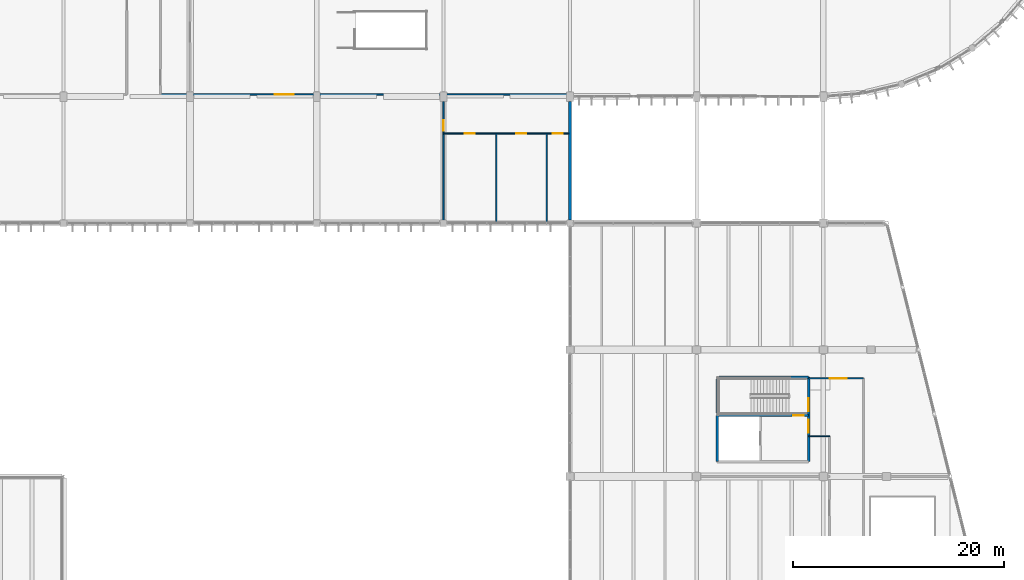
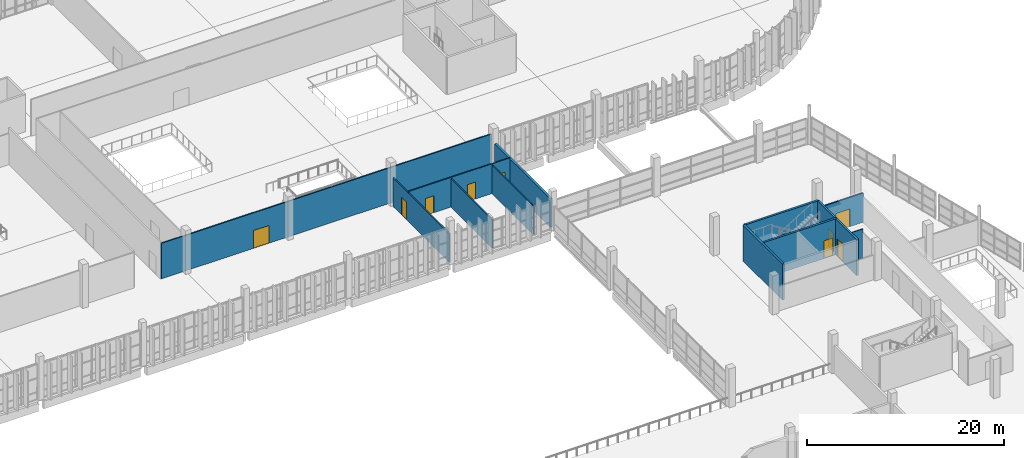
# One storey, part 86 of 112: 12 walls, 9 doors, 9 openings.
"""IFC4 building model written with IfcOpenShell, lengths in metres."""

import ifcopenshell
import ifcopenshell.guid

model = None  # the IFC model being written
_history = None  # IfcOwnerHistory: only IFC2X3 demands one
_inside = {}  # id of a spatial element -> (the spatial element, [elements in it])
_under = {}  # id of a project, library or spatial element -> (it, [spatial elements below it])
_declared = {}  # id of a project -> (the project, [libraries it declares])
_typed = {}  # id of a type object -> (the type object, [elements of that type])
_made_of = {}  # id of a material, layer set ... -> (it, [elements and type objects made of it])


def new_model(schema):
    """Start an empty IFC model of exactly this schema.

    Asked for "IFC4X3", IfcOpenShell would pick the latest addendum, in which some entities
    have other attributes; the version numbers below select the first issue.
    IFC2X3 requires an IfcOwnerHistory on every rooted entity: one is made here for all.
    """
    global model, _history
    if schema == "IFC4X3":
        model = ifcopenshell.file(schema_version=(4, 3, 0, 0))
    else:
        model = ifcopenshell.file(schema=schema)
    _inside.clear()
    _under.clear()
    _declared.clear()
    _typed.clear()
    _made_of.clear()
    _history = None
    if model.schema == "IFC2X3":
        org = make("IfcOrganization", Name="unknown")
        user = make(
            "IfcPersonAndOrganization",
            ThePerson=make("IfcPerson", FamilyName="unknown"),
            TheOrganization=org,
        )
        app = make(
            "IfcApplication",
            ApplicationDeveloper=org,
            Version="unknown",
            ApplicationFullName="unknown",
            ApplicationIdentifier="unknown",
        )
        _history = make(
            "IfcOwnerHistory",
            OwningUser=user,
            OwningApplication=app,
            ChangeAction="ADDED",
            CreationDate=0,
        )
    return model


def make(cls, **values):
    """One entity of the class cls with the attributes given. An attribute that is None is left unset."""
    return model.create_entity(
        cls, **{name: value for name, value in values.items() if value is not None}
    )


def rooted(cls, **values):
    """An entity with a GlobalId (a new one), such as an element, a storey or a relation."""
    return make(cls, GlobalId=ifcopenshell.guid.new(), OwnerHistory=_history, **values)


def si_unit(unit_type, name, prefix=None):
    """IfcSIUnit, for example si_unit("LENGTHUNIT", "METRE", prefix="MILLI")."""
    return make("IfcSIUnit", UnitType=unit_type, Prefix=prefix, Name=name)


def assignment(units):
    """IfcUnitAssignment: the units of a project."""
    return None if units is None else make("IfcUnitAssignment", Units=units)


def point(xyz):
    """IfcCartesianPoint."""
    return None if xyz is None else make("IfcCartesianPoint", Coordinates=xyz)


def direction(xyz):
    """IfcDirection."""
    return None if xyz is None else make("IfcDirection", DirectionRatios=xyz)


def frame(location, z_axis=None, x_axis=None):
    """IfcAxis2Placement3D, a coordinate frame: its origin and axes. An axis left out is left unset."""
    return make(
        "IfcAxis2Placement3D",
        Location=point(location),
        Axis=direction(z_axis),
        RefDirection=direction(x_axis),
    )


def frame_2d(location, x_axis=None):
    """IfcAxis2Placement2D, a coordinate frame in the plane: its origin and x axis."""
    return make(
        "IfcAxis2Placement2D", Location=point(location), RefDirection=direction(x_axis)
    )


def origin():
    """The frame at (0, 0, 0) with its axes left unset."""
    return frame((0.0, 0.0, 0.0))


def place(relative_to, where):
    """IfcLocalPlacement: puts the frame where relative to a parent placement (None: the world)."""
    return make(
        "IfcLocalPlacement", PlacementRelTo=relative_to, RelativePlacement=where
    )


def context(
    kind, dimensions, precision=None, world=None, true_north=None, identifier=None
):
    """IfcGeometricRepresentationContext, for example the 3D "Model" context."""
    return make(
        "IfcGeometricRepresentationContext",
        ContextIdentifier=identifier,
        ContextType=kind,
        CoordinateSpaceDimension=dimensions,
        Precision=precision,
        WorldCoordinateSystem=world,
        TrueNorth=true_north,
    )


def subcontext(parent, identifier, kind, view, scale=None):
    """IfcGeometricRepresentationSubContext, for example "Body" below "Model"."""
    return make(
        "IfcGeometricRepresentationSubContext",
        ContextIdentifier=identifier,
        ContextType=kind,
        ParentContext=parent,
        TargetScale=scale,
        TargetView=view,
    )


def project(units=None, contexts=None):
    """IfcProject with its units and contexts."""
    return rooted(
        "IfcProject",
        Name="project",
        RepresentationContexts=contexts,
        UnitsInContext=assignment(units),
    )


def spatial(cls, under=None, at=None, **own):
    """A site, building, storey or space (cls), placed at a placement, below another one or the project."""
    s = rooted(cls, ObjectPlacement=at, **own)
    if under is not None:
        _under.setdefault(under.id(), (under, []))[1].append(s)
    return s


def profile(cls, at=None, kind="AREA", **sizes):
    """A parametric profile (cls). Its sizes go by their IFC names, for example OverallWidth=200.0."""
    return make(cls, ProfileType=kind, Position=at, **sizes)


def rectangle(**sizes):
    """IfcRectangleProfileDef."""
    return profile("IfcRectangleProfileDef", **sizes)


def extrude(swept, where, along, depth):
    """IfcExtrudedAreaSolid: the profile swept, set in the frame where, extruded along a direction by depth."""
    return make(
        "IfcExtrudedAreaSolid",
        SweptArea=swept,
        Position=where,
        ExtrudedDirection=direction(along),
        Depth=depth,
    )


def shape(context_of_items, identifier, shape_type, items):
    """IfcShapeRepresentation: the items that make up one representation, for example the "Body"."""
    return make(
        "IfcShapeRepresentation",
        ContextOfItems=context_of_items,
        RepresentationIdentifier=identifier,
        RepresentationType=shape_type,
        Items=items,
    )


def material(Name=None, Category=None):
    """IfcMaterial."""
    return make("IfcMaterial", Name=Name, Category=Category)


def layer(
    of_material, thickness, ventilated=None, Name=None, Category=None, Priority=None
):
    """IfcMaterialLayer: one layer of a wall or slab, of a material (None: an air gap)."""
    return make(
        "IfcMaterialLayer",
        Material=of_material,
        LayerThickness=thickness,
        IsVentilated=ventilated,
        Name=Name,
        Category=Category,
        Priority=Priority,
    )


def layer_set(layers, Name=None):
    """IfcMaterialLayerSet."""
    return make("IfcMaterialLayerSet", MaterialLayers=layers, LayerSetName=Name)


def made_of(thing, what):
    """Note that an element or type object is made of a material, layer set ...; save() writes the relation."""
    if what is not None:
        _made_of.setdefault(what.id(), (what, []))[1].append(thing)
    return thing


def type_object(cls, material=None, **own):
    """A type object (cls), such as IfcWallType, which elements share."""
    return made_of(rooted(cls, **own), material)


def element(
    cls,
    number,
    at=None,
    inside=None,
    cuts=None,
    type_object=None,
    material=None,
    context=None,
    identifier="Body",
    shape_type=None,
    held_by="IfcProductDefinitionShape",
    body=None,
    shapes=None,
    **own,
):
    """One element of the class cls, such as IfcWall. Its Tag is "e" and its number.

    at: its placement. inside: the storey or other place that contains it. cuts: it is an
    opening in that element (IfcRelVoidsElement). A single representation is given by context,
    identifier, shape_type and body (its items); several are given by shapes. held_by: the class
    of the entity that holds the representations. save() writes the other relations.
    """
    e = rooted(cls, Tag="e%d" % number, ObjectPlacement=at, **own)
    if body is not None:
        shapes = [shape(context, identifier, shape_type, body)]
    if shapes is not None:
        e.Representation = make(held_by, Representations=shapes)
    if inside is not None:
        _inside.setdefault(inside.id(), (inside, []))[1].append(e)
    if cuts is not None:
        rooted(
            "IfcRelVoidsElement", RelatingBuildingElement=cuts, RelatedOpeningElement=e
        )
    if type_object is not None:
        _typed.setdefault(type_object.id(), (type_object, []))[1].append(e)
    return made_of(e, material)


def fill(opening, filler):
    """IfcRelFillsElement: the door or window that sits in an opening."""
    return rooted(
        "IfcRelFillsElement",
        RelatingOpeningElement=opening,
        RelatedBuildingElement=filler,
    )


def aggregate(whole, parts):
    """IfcRelAggregates: a whole, such as a stair, and the parts it consists of."""
    return rooted("IfcRelAggregates", RelatingObject=whole, RelatedObjects=parts)


def save(model, path):
    """Write the relations noted so far, then the file.

    IfcRelAggregates (storeys below a building ...), IfcRelContainedInSpatialStructure (elements
    in a storey), IfcRelDefinesByType, IfcRelAssociatesMaterial and IfcRelDeclares: one each for
    every whole, place, type object, material and project.
    """
    for whole, parts in _under.values():
        aggregate(whole, parts)
    for where, things in _inside.values():
        rooted(
            "IfcRelContainedInSpatialStructure",
            RelatedElements=things,
            RelatingStructure=where,
        )
    for kind, things in _typed.values():
        rooted("IfcRelDefinesByType", RelatedObjects=things, RelatingType=kind)
    for what, things in _made_of.values():
        rooted("IfcRelAssociatesMaterial", RelatedObjects=things, RelatingMaterial=what)
    for by, libraries in _declared.values():
        rooted("IfcRelDeclares", RelatingContext=by, RelatedDefinitions=libraries)
    model.write(path)


model = new_model("IFC4")

# Units and contexts
model_context = context("Model", 3, precision=1e-05, world=origin(), true_north=direction((0.0, 1.0)))
body_context = subcontext(model_context, "Body", "Model", "MODEL_VIEW")
ifc_project = project(units=[si_unit("LENGTHUNIT", "METRE"), si_unit("AREAUNIT", "SQUARE_METRE"), si_unit("VOLUMEUNIT", "CUBIC_METRE"), si_unit("PLANEANGLEUNIT", "RADIAN"), si_unit("MASSUNIT", "GRAM", prefix="KILO")], contexts=[model_context])

# Site, building, storey
site_placement = place(None, origin())
site = spatial("IfcSite", under=ifc_project, at=site_placement, CompositionType="ELEMENT")
building_placement = place(site_placement, origin())
building = spatial("IfcBuilding", under=site, at=building_placement, Name="Kamomehara Wholesale Market", CompositionType="ELEMENT")
storey_placement = place(building_placement, frame((0.0, 0.0, 6.60009765625)))
storey = spatial("IfcBuildingStorey", under=building, at=storey_placement, Name="L01", CompositionType="ELEMENT", Elevation=6.60009765625)

# Walls
ifc_material_1 = material(Name="Precast concrete Fc45 (C40/50)", Category="concrete")
ifc_layer_1 = layer(ifc_material_1, 0.260009765625)
ifc_layer_set_1 = layer_set([ifc_layer_1], Name="Precast concrete Fc45 (C40/50)")
wall_type_1 = type_object("IfcWallType", Name="EW-PC-260", PredefinedType="SOLIDWALL", material=ifc_layer_set_1)
wall_1_placement = place(storey_placement, frame((156.0, 107.550048828125, 0.0), z_axis=(0.0, 0.0, 1.0), x_axis=(0.0, -1.0, 0.0)))
element("IfcWall", 1, at=wall_1_placement, inside=storey, type_object=wall_type_1, Name="Exterior wall EW-PC-260 74", PredefinedType="SOLIDWALL", context=body_context, shape_type="SweptSolid", body=[
    extrude(rectangle(XDim=11.239990234375, YDim=0.260009765625, at=frame_2d((5.6201171875, 0.0))), origin(), (0.0, 0.0, 1.0), 3.517822265625),
])
ifc_material_2 = material(Name="Gypsum board partition")
ifc_layer_2 = layer(ifc_material_2, 0.10009765625)
ifc_layer_set_2 = layer_set([ifc_layer_2], Name="Gypsum board partition")
wall_type_2 = type_object("IfcWallType", Name="IW-PRT-100", PredefinedType="PARTITIONING", material=ifc_layer_set_2)
wall_2_placement = place(storey_placement, frame((178.60009765625, 75.800048828125, 0.0), z_axis=(0.0, 0.0, 1.0), x_axis=(1.0, 0.0, 0.0)))
element("IfcWall", 2, at=wall_2_placement, inside=storey, type_object=wall_type_2, Name="Interior wall IW-PRT-100 338", PredefinedType="PARTITIONING", context=body_context, shape_type="SweptSolid", body=[
    extrude(rectangle(XDim=2.0, YDim=0.10009765625, at=frame_2d((1.0, 0.0))), origin(), (0.0, 0.0, 1.0), 3.6328125),
])

# Wall, openings, doors
ifc_material_3 = material(Name="Gypsum board partition")
ifc_layer_3 = layer(ifc_material_3, 0.125)
ifc_layer_set_3 = layer_set([ifc_layer_3], Name="Gypsum board partition")
wall_type_3 = type_object("IfcWallType", Name="IW-PRT-125", PredefinedType="PARTITIONING", material=ifc_layer_set_3)
wall_3_placement = place(storey_placement, frame((144.0, 104.5, 0.0), z_axis=(0.0, 0.0, 1.0), x_axis=(1.0, 0.0, 0.0)))
wall_3 = element("IfcWall", 3, at=wall_3_placement, inside=storey, type_object=wall_type_3, Name="Interior wall IW-PRT-125 297", PredefinedType="PARTITIONING", context=body_context, shape_type="SweptSolid", body=[
    extrude(rectangle(XDim=11.8701171875, YDim=0.125, at=frame_2d((5.93505859375, 0.0))), origin(), (0.0, 0.0, 1.0), 3.673828125),
])
opening_1_placement = place(wall_3_placement, frame((2.0, 0.0, 0.0)))
opening_1 = element("IfcOpeningElement", 4, at=opening_1_placement, cuts=wall_3, Name="Opening ID-L01-185", PredefinedType="OPENING", context=body_context, shape_type="SweptSolid", body=[
    extrude(rectangle(XDim=0.949951171875, YDim=2.10009765625, at=frame_2d((0.47509765625, 1.050048828125))), frame((0.0, 0.077392578125, 0.0), z_axis=(0.0, -1.0, 0.0), x_axis=(1.0, 0.0, 0.0)), (0.0, 0.0, 1.0), 0.15478515625),
])
opening_2_placement = place(wall_3_placement, frame((6.89990234375, 0.0, 0.0)))
opening_2 = element("IfcOpeningElement", 5, at=opening_2_placement, cuts=wall_3, Name="Opening ID-L01-186", PredefinedType="OPENING", context=body_context, shape_type="SweptSolid", body=[
    extrude(rectangle(XDim=0.949951171875, YDim=2.10009765625, at=frame_2d((0.47509765625, 1.050048828125))), frame((0.0, 0.077392578125, 0.0), z_axis=(0.0, -1.0, 0.0), x_axis=(1.0, 0.0, 0.0)), (0.0, 0.0, 1.0), 0.15478515625),
])
opening_3_placement = place(wall_3_placement, frame((10.35009765625, 0.0, 0.0)))
opening_3 = element("IfcOpeningElement", 6, at=opening_3_placement, cuts=wall_3, Name="Opening ID-L01-187", PredefinedType="OPENING", context=body_context, shape_type="SweptSolid", body=[
    extrude(rectangle(XDim=0.949951171875, YDim=2.10009765625, at=frame_2d((0.47509765625, 1.050048828125))), frame((0.0, 0.077392578125, 0.0), z_axis=(0.0, -1.0, 0.0), x_axis=(1.0, 0.0, 0.0)), (0.0, 0.0, 1.0), 0.15478515625),
])
ifc_material_4 = material(Name="Anodised aluminium 6063-T5", Category="aluminium")
door_type_1 = type_object("IfcDoorType", Name="IDR-WC-950x2100", OperationType="NOTDEFINED", PredefinedType="DOOR", material=ifc_material_4)
door_1_placement = place(opening_1_placement, origin())
door_1 = element("IfcDoor", 7, at=door_1_placement, inside=storey, type_object=door_type_1, Name="Interior door ID-L01-185", OperationType="SINGLE_SWING_LEFT", OverallHeight=2.10009765625, OverallWidth=0.949951171875, PredefinedType="DOOR", context=body_context, shape_type="SweptSolid", body=[
    extrude(rectangle(XDim=0.949951171875, YDim=2.10009765625, at=frame_2d((0.47509765625, 1.050048828125))), frame((0.0, 0.02490234375, 0.0), z_axis=(0.0, -1.0, 0.0), x_axis=(1.0, 0.0, 0.0)), (0.0, 0.0, 1.0), 0.050048828125),
])
fill(opening_1, door_1)
door_2_placement = place(opening_2_placement, origin())
door_2 = element("IfcDoor", 8, at=door_2_placement, inside=storey, type_object=door_type_1, Name="Interior door ID-L01-186", OperationType="SINGLE_SWING_RIGHT", OverallHeight=2.10009765625, OverallWidth=0.949951171875, PredefinedType="DOOR", context=body_context, shape_type="SweptSolid", body=[
    extrude(rectangle(XDim=0.949951171875, YDim=2.10009765625, at=frame_2d((0.47509765625, 1.050048828125))), frame((0.0, 0.02490234375, 0.0), z_axis=(0.0, -1.0, 0.0), x_axis=(1.0, 0.0, 0.0)), (0.0, 0.0, 1.0), 0.050048828125),
])
fill(opening_2, door_2)
door_3_placement = place(opening_3_placement, origin())
door_3 = element("IfcDoor", 9, at=door_3_placement, inside=storey, type_object=door_type_1, Name="Interior door ID-L01-187", OperationType="SINGLE_SWING_LEFT", OverallHeight=2.10009765625, OverallWidth=0.949951171875, PredefinedType="DOOR", context=body_context, shape_type="SweptSolid", body=[
    extrude(rectangle(XDim=0.949951171875, YDim=2.10009765625, at=frame_2d((0.47509765625, 1.050048828125))), frame((0.0, 0.02490234375, 0.0), z_axis=(0.0, -1.0, 0.0), x_axis=(1.0, 0.0, 0.0)), (0.0, 0.0, 1.0), 0.050048828125),
])
fill(opening_3, door_3)

# Walls
for number, where, z_axis, x_axis, name in (
    (10, (149.0, 96.0400390625, 0.0), (0.0, 0.0, 1.0), (0.0, 1.0, 0.0), "Interior wall IW-PRT-125 298"),
    (11, (153.800048828125, 96.0400390625, 0.0), (0.0, 0.0, 1.0), (0.0, 1.0, 0.0), "Interior wall IW-PRT-125 299"),
):
    element("IfcWall", number, at=place(storey_placement, frame(where, z_axis=z_axis, x_axis=x_axis)), inside=storey, type_object=wall_type_3, Name=name, PredefinedType="PARTITIONING", context=body_context, shape_type="SweptSolid", body=[
        extrude(rectangle(XDim=8.4599609375, YDim=0.125, at=frame_2d((4.22998046875, 0.0))), origin(), (0.0, 0.0, 1.0), 3.52392578125),
    ])

# Wall, opening, door
ifc_material_5 = material(Name="Gypsum board partition")
ifc_layer_4 = layer(ifc_material_5, 0.14990234375)
ifc_layer_set_4 = layer_set([ifc_layer_4], Name="Gypsum board partition")
wall_type_4 = type_object("IfcWallType", Name="IW-PRT-150", PredefinedType="PARTITIONING", material=ifc_layer_set_4)
wall_4_placement = place(storey_placement, frame((117.199951171875, 108.199951171875, 0.0), z_axis=(0.0, 0.0, 1.0), x_axis=(1.0, 0.0, 0.0)))
wall_4 = element("IfcWall", 12, at=wall_4_placement, inside=storey, type_object=wall_type_4, Name="Interior wall IW-PRT-150 295", PredefinedType="PARTITIONING", context=body_context, shape_type="SweptSolid", body=[
    extrude(rectangle(XDim=38.670166015625, YDim=0.14990234375, at=frame_2d((19.3349609375, 0.0))), origin(), (0.0, 0.0, 1.0), 4.385009765625),
])
opening_4_placement = place(wall_4_placement, frame((10.800048828125, 0.0, 0.0)))
opening_4 = element("IfcOpeningElement", 13, at=opening_4_placement, cuts=wall_4, Name="Opening ID-L01-183", PredefinedType="OPENING", context=body_context, shape_type="SweptSolid", body=[
    extrude(rectangle(XDim=1.800048828125, YDim=2.199951171875, at=frame_2d((0.89990234375, 1.10009765625))), frame((0.0, 0.08984375, 0.0), z_axis=(0.0, -1.0, 0.0), x_axis=(1.0, 0.0, 0.0)), (0.0, 0.0, 1.0), 0.1796875),
])
ifc_material_6 = material(Name="Steel SN400B", Category="steel")
door_type_2 = type_object("IfcDoorType", Name="IDR-FD-1800x2200", OperationType="NOTDEFINED", PredefinedType="DOOR", material=ifc_material_6)
door_4_placement = place(opening_4_placement, origin())
door_4 = element("IfcDoor", 14, at=door_4_placement, inside=storey, type_object=door_type_2, Name="Interior door ID-L01-183", OperationType="SINGLE_SWING_LEFT", OverallHeight=2.199951171875, OverallWidth=1.800048828125, PredefinedType="DOOR", context=body_context, shape_type="SweptSolid", body=[
    extrude(rectangle(XDim=1.800048828125, YDim=2.199951171875, at=frame_2d((0.89990234375, 1.10009765625))), frame((0.0, 0.02490234375, 0.0), z_axis=(0.0, -1.0, 0.0), x_axis=(1.0, 0.0, 0.0)), (0.0, 0.0, 1.0), 0.050048828125),
])
fill(opening_4, door_4)

wall_5_placement = place(storey_placement, frame((144.0, 96.0400390625, 0.0), z_axis=(0.0, 0.0, 1.0), x_axis=(0.0, 1.0, 0.0)))
wall_5 = element("IfcWall", 15, at=wall_5_placement, inside=storey, type_object=wall_type_4, Name="Interior wall IW-PRT-150 296", PredefinedType="PARTITIONING", context=body_context, shape_type="SweptSolid", body=[
    extrude(rectangle(XDim=11.47998046875, YDim=0.14990234375, at=frame_2d((5.739990234375, 0.0))), origin(), (0.0, 0.0, 1.0), 3.52392578125),
])
opening_5_placement = place(wall_5_placement, frame((8.699951171875, 0.0, 0.0)))
opening_5 = element("IfcOpeningElement", 16, at=opening_5_placement, cuts=wall_5, Name="Opening ID-L01-184", PredefinedType="OPENING", context=body_context, shape_type="SweptSolid", body=[
    extrude(rectangle(XDim=1.0, YDim=2.199951171875, at=frame_2d((0.5, 1.10009765625))), frame((0.0, 0.08984375, 0.0), z_axis=(0.0, -1.0, 0.0), x_axis=(1.0, 0.0, 0.0)), (0.0, 0.0, 1.0), 0.1796875),
])
ifc_material_7 = material(Name="Anodised aluminium 6063-T5", Category="aluminium")
door_type_3 = type_object("IfcDoorType", Name="IDR-RM-1000x2200", OperationType="NOTDEFINED", PredefinedType="DOOR", material=ifc_material_7)
door_5_placement = place(opening_5_placement, origin())
door_5 = element("IfcDoor", 17, at=door_5_placement, inside=storey, type_object=door_type_3, Name="Interior door ID-L01-184", OperationType="SINGLE_SWING_RIGHT", OverallHeight=2.199951171875, OverallWidth=1.0, PredefinedType="DOOR", context=body_context, shape_type="SweptSolid", body=[
    extrude(rectangle(XDim=1.0, YDim=2.199951171875, at=frame_2d((0.5, 1.10009765625))), frame((0.0, 0.02490234375, 0.0), z_axis=(0.0, -1.0, 0.0), x_axis=(1.0, 0.0, 0.0)), (0.0, 0.0, 1.0), 0.050048828125),
])
fill(opening_5, door_5)

wall_6_placement = place(storey_placement, frame((178.60009765625, 81.300048828125, 0.0), z_axis=(0.0, 0.0, 1.0), x_axis=(1.0, 0.0, 0.0)))
wall_6 = element("IfcWall", 18, at=wall_6_placement, inside=storey, type_object=wall_type_4, Name="Interior wall IW-PRT-150 339", PredefinedType="PARTITIONING", context=body_context, shape_type="SweptSolid", body=[
    extrude(rectangle(XDim=5.199951171875, YDim=0.14990234375, at=frame_2d((2.60009765625, 0.0))), origin(), (0.0, 0.0, 1.0), 3.6328125),
])
opening_6_placement = place(wall_6_placement, frame((2.0, 0.0, 0.0)))
opening_6 = element("IfcOpeningElement", 19, at=opening_6_placement, cuts=wall_6, Name="Opening ID-L01-213", PredefinedType="OPENING", context=body_context, shape_type="SweptSolid", body=[
    extrude(rectangle(XDim=1.60009765625, YDim=2.199951171875, at=frame_2d((0.800048828125, 1.10009765625))), frame((0.0, 0.08984375, 0.0), z_axis=(0.0, -1.0, 0.0), x_axis=(1.0, 0.0, 0.0)), (0.0, 0.0, 1.0), 0.1796875),
])
ifc_material_8 = material(Name="Steel SN400B", Category="steel")
door_type_4 = type_object("IfcDoorType", Name="IDR-FD-1600x2200", OperationType="NOTDEFINED", PredefinedType="DOOR", material=ifc_material_8)
door_6_placement = place(opening_6_placement, origin())
door_6 = element("IfcDoor", 20, at=door_6_placement, inside=storey, type_object=door_type_4, Name="Interior door ID-L01-213", OperationType="SINGLE_SWING_LEFT", OverallHeight=2.199951171875, OverallWidth=1.60009765625, PredefinedType="DOOR", context=body_context, shape_type="SweptSolid", body=[
    extrude(rectangle(XDim=1.60009765625, YDim=2.199951171875, at=frame_2d((0.800048828125, 1.10009765625))), frame((0.0, 0.02490234375, 0.0), z_axis=(0.0, -1.0, 0.0), x_axis=(1.0, 0.0, 0.0)), (0.0, 0.0, 1.0), 0.050048828125),
])
fill(opening_6, door_6)

# Walls
ifc_material_9 = material(Name="Concrete Fc36 (C35/45)", Category="concrete")
ifc_layer_5 = layer(ifc_material_9, 0.239990234375)
ifc_layer_set_5 = layer_set([ifc_layer_5], Name="Concrete Fc36 (C35/45)")
wall_type_5 = type_object("IfcWallType", Name="IW-SHR-240", PredefinedType="SHEAR", material=ifc_layer_set_5)
wall_7_placement = place(storey_placement, frame((178.60009765625, 81.419921875, 0.0), z_axis=(0.0, 0.0, 1.0), x_axis=(-1.0, 0.0, 0.0)))
element("IfcWall", 21, at=wall_7_placement, inside=storey, type_object=wall_type_5, Name="Interior wall IW-SHR-240 139", PredefinedType="SHEAR", context=body_context, shape_type="SweptSolid", body=[
    extrude(rectangle(XDim=8.670166015625, YDim=0.239990234375, at=frame_2d((4.3349609375, 0.0))), origin(), (0.0, 0.0, 1.0), 4.449951171875),
])
wall_8_placement = place(storey_placement, frame((169.929931640625, 81.419921875, 0.0), z_axis=(0.0, 0.0, 1.0), x_axis=(0.0, -1.0, 0.0)))
element("IfcWall", 22, at=wall_8_placement, inside=storey, type_object=wall_type_5, Name="Interior wall IW-SHR-240 140", PredefinedType="SHEAR", context=body_context, shape_type="SweptSolid", body=[
    extrude(rectangle(XDim=8.02001953125, YDim=0.239990234375, at=frame_2d((4.010009765625, 0.0))), origin(), (0.0, 0.0, 1.0), 4.449951171875),
])

# Wall, opening, door
wall_9_placement = place(storey_placement, frame((169.929931640625, 77.780029296875, 0.0), z_axis=(0.0, 0.0, 1.0), x_axis=(1.0, 0.0, 0.0)))
wall_9 = element("IfcWall", 23, at=wall_9_placement, inside=storey, type_object=wall_type_5, Name="Interior wall IW-SHR-240 142", PredefinedType="SHEAR", context=body_context, shape_type="SweptSolid", body=[
    extrude(rectangle(XDim=8.670166015625, YDim=0.239990234375, at=frame_2d((4.3349609375, 0.0))), origin(), (0.0, 0.0, 1.0), 4.449951171875),
])
opening_7_placement = place(wall_9_placement, frame((7.219970703125, 0.0, 0.0)))
opening_7 = element("IfcOpeningElement", 24, at=opening_7_placement, cuts=wall_9, Name="Opening FD-L01-C9I", PredefinedType="OPENING", context=body_context, shape_type="SweptSolid", body=[
    extrude(rectangle(XDim=1.0, YDim=2.199951171875, at=frame_2d((0.5, 1.10009765625))), frame((0.0, 0.134765625, 0.0), z_axis=(0.0, -1.0, 0.0), x_axis=(1.0, 0.0, 0.0)), (0.0, 0.0, 1.0), 0.269775390625),
])
door_7_placement = place(opening_7_placement, origin())
door_7 = element("IfcDoor", 25, at=door_7_placement, inside=storey, type_object=door_type_3, Name="Core lobby-stair fire door FD-L01-C9I", OperationType="SINGLE_SWING_LEFT", OverallHeight=2.199951171875, OverallWidth=1.0, PredefinedType="DOOR", context=body_context, shape_type="SweptSolid", body=[
    extrude(rectangle(XDim=1.0, YDim=2.199951171875, at=frame_2d((0.5, 1.10009765625))), frame((0.0, 0.02490234375, 0.0), z_axis=(0.0, -1.0, 0.0), x_axis=(1.0, 0.0, 0.0)), (0.0, 0.0, 1.0), 0.050048828125),
])
fill(opening_7, door_7)

# Wall, openings, doors
wall_10_placement = place(storey_placement, frame((178.60009765625, 73.39990234375, 0.0), z_axis=(0.0, 0.0, 1.0), x_axis=(0.0, 1.0, 0.0)))
wall_10 = element("IfcWall", 26, at=wall_10_placement, inside=storey, type_object=wall_type_5, Name="Interior wall IW-SHR-240 143", PredefinedType="SHEAR", context=body_context, shape_type="SweptSolid", body=[
    extrude(rectangle(XDim=8.02001953125, YDim=0.239990234375, at=frame_2d((4.010009765625, 0.0))), origin(), (0.0, 0.0, 1.0), 4.449951171875),
])
opening_8_placement = place(wall_10_placement, frame((2.75, 0.0, 0.0)))
opening_8 = element("IfcOpeningElement", 27, at=opening_8_placement, cuts=wall_10, Name="Opening FD-L01-C9L", PredefinedType="OPENING", context=body_context, shape_type="SweptSolid", body=[
    extrude(rectangle(XDim=1.199951171875, YDim=2.199951171875, at=frame_2d((0.60009765625, 1.10009765625))), frame((0.0, 0.134765625, 0.0), z_axis=(0.0, -1.0, 0.0), x_axis=(1.0, 0.0, 0.0)), (0.0, 0.0, 1.0), 0.269775390625),
])
opening_9_placement = place(wall_10_placement, frame((4.800048828125, 0.0, 0.0)))
opening_9 = element("IfcOpeningElement", 28, at=opening_9_placement, cuts=wall_10, Name="Opening FD-L01-C9S", PredefinedType="OPENING", context=body_context, shape_type="SweptSolid", body=[
    extrude(rectangle(XDim=1.199951171875, YDim=2.199951171875, at=frame_2d((0.60009765625, 1.10009765625))), frame((0.0, 0.134765625, 0.0), z_axis=(0.0, -1.0, 0.0), x_axis=(1.0, 0.0, 0.0)), (0.0, 0.0, 1.0), 0.269775390625),
])
ifc_material_10 = material(Name="Steel SN400B", Category="steel")
door_type_5 = type_object("IfcDoorType", Name="IDR-FD-1200x2200", OperationType="NOTDEFINED", PredefinedType="DOOR", material=ifc_material_10)
door_8_placement = place(opening_8_placement, origin())
door_8 = element("IfcDoor", 29, at=door_8_placement, inside=storey, type_object=door_type_5, Name="Lift lobby fire door FD-L01-C9L", OperationType="SINGLE_SWING_LEFT", OverallHeight=2.199951171875, OverallWidth=1.199951171875, PredefinedType="DOOR", context=body_context, shape_type="SweptSolid", body=[
    extrude(rectangle(XDim=1.199951171875, YDim=2.199951171875, at=frame_2d((0.60009765625, 1.10009765625))), frame((0.0, 0.02490234375, 0.0), z_axis=(0.0, -1.0, 0.0), x_axis=(1.0, 0.0, 0.0)), (0.0, 0.0, 1.0), 0.050048828125),
])
fill(opening_8, door_8)
door_9_placement = place(opening_9_placement, origin())
door_9 = element("IfcDoor", 30, at=door_9_placement, inside=storey, type_object=door_type_5, Name="Stair fire door FD-L01-C9S", OperationType="SINGLE_SWING_RIGHT", OverallHeight=2.199951171875, OverallWidth=1.199951171875, PredefinedType="DOOR", context=body_context, shape_type="SweptSolid", body=[
    extrude(rectangle(XDim=1.199951171875, YDim=2.199951171875, at=frame_2d((0.60009765625, 1.10009765625))), frame((0.0, 0.02490234375, 0.0), z_axis=(0.0, -1.0, 0.0), x_axis=(1.0, 0.0, 0.0)), (0.0, 0.0, 1.0), 0.050048828125),
])
fill(opening_9, door_9)

save(model, "model.ifc")
